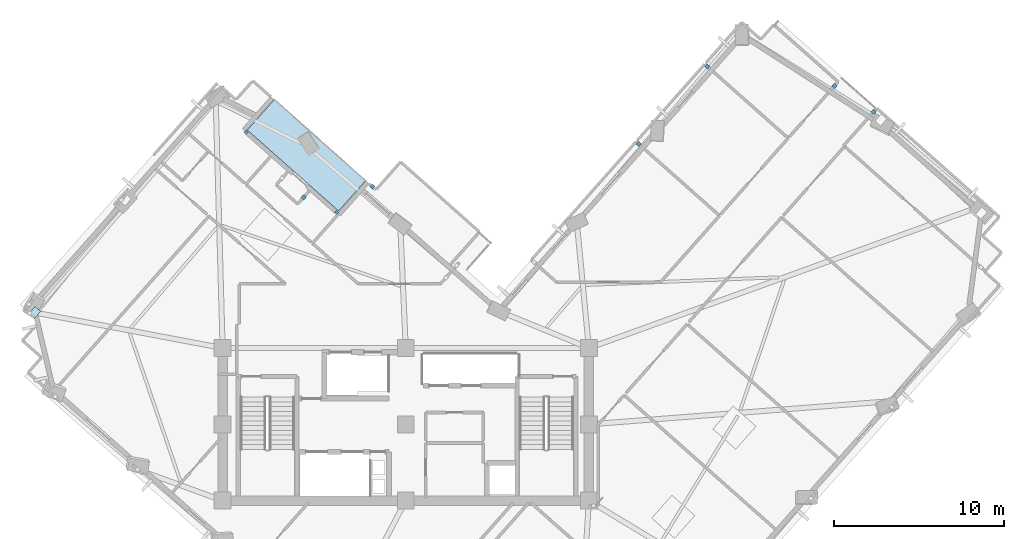
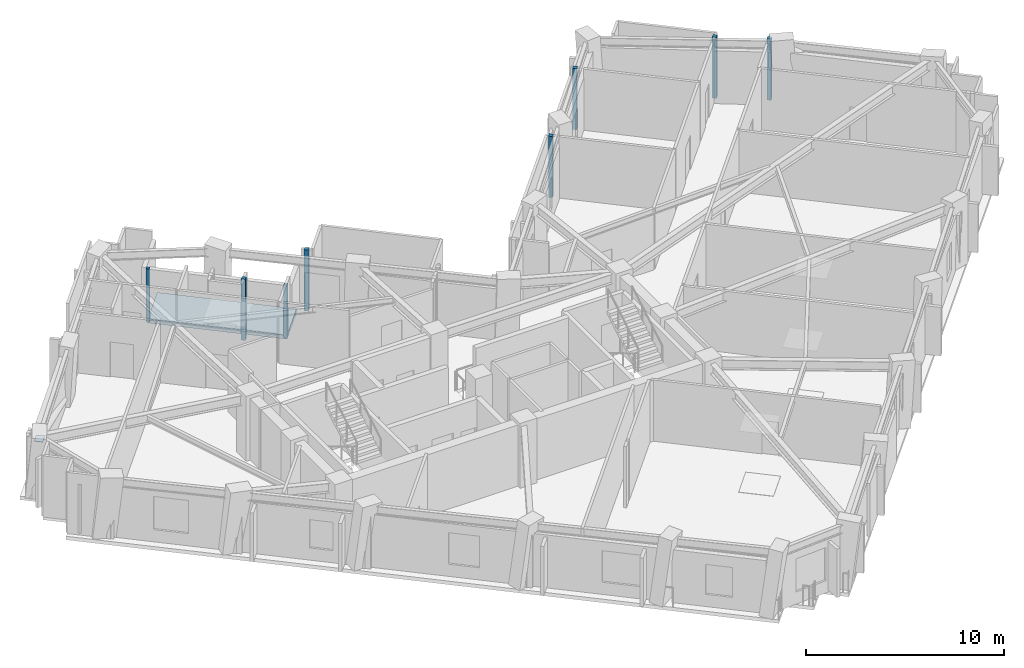
# One storey, part 3 of 13: 9 plates, 1 slab.
"""IFC4 building model written with IfcOpenShell, lengths in metres."""

from ifc_helpers import new_model, si_unit, direction, frame, origin, origin_2d, place, context, subcontext, project, spatial, polyline, rectangle, outline, extrude, material, layer, layer_set, type_object, element, save


model = new_model("IFC4")

# Units and contexts
model_context = context("Model", 3, precision=1e-05, world=origin(), true_north=direction((0.0, 1.0)))
body_context = subcontext(model_context, "Body", "Model", "MODEL_VIEW")
ifc_project = project(units=[si_unit("LENGTHUNIT", "METRE"), si_unit("AREAUNIT", "SQUARE_METRE"), si_unit("VOLUMEUNIT", "CUBIC_METRE"), si_unit("PLANEANGLEUNIT", "RADIAN"), si_unit("MASSUNIT", "GRAM", prefix="KILO")], contexts=[model_context])

# Site, building, storey
site_placement = place(None, origin())
site = spatial("IfcSite", under=ifc_project, at=site_placement, CompositionType="ELEMENT")
building_placement = place(site_placement, origin())
building = spatial("IfcBuilding", under=site, at=building_placement, Name="Gaonmaruhae Medical Tower", CompositionType="ELEMENT")
storey_placement = place(building_placement, frame((0.0, 0.0, 231.199951171875)))
storey = spatial("IfcBuildingStorey", under=building, at=storey_placement, Name="L55", CompositionType="ELEMENT", Elevation=231.199951171875)

# Plates
ifc_material_1 = material(Name="Steel HSA650 (650 MPa)", Category="steel")
ifc_layer_1 = layer(ifc_material_1, 0.028076171875)
ifc_layer_set_1 = layer_set([ifc_layer_1], Name="Steel HSA650 (650 MPa)")
plate_type_1 = type_object("IfcPlateType", Name="GP-02 Tube Brace End Cap Gusset Plate", PredefinedType="USERDEFINED", material=ifc_layer_set_1)
plate_placement = place(storey_placement, frame((2.920654296875, 18.893310546875, 3.51611328125), z_axis=(0.0, 0.0, 1.0), x_axis=(0.650774217266, 0.759271307335, 0.0)))
element("IfcPlate", 1, at=plate_placement, inside=storey, type_object=plate_type_1, Name="L55 Gusset Cap Plate PLT-L55-PBR-N02B", ObjectType="GUSSET_PLATE", PredefinedType="USERDEFINED", context=body_context, shape_type="SweptSolid", body=[
    extrude(rectangle(XDim=0.56005859375, YDim=0.43994140625, at=origin_2d()), origin(), (0.0, 0.0, 1.0), 0.028076171875),
])
ifc_material_2 = material(Name="Anodised aluminium 6063-T6", Category="aluminium")
ifc_layer_2 = layer(ifc_material_2, 0.011962890625)
ifc_layer_set_2 = layer_set([ifc_layer_2], Name="Anodised aluminium 6063-T6")
plate_type_2 = type_object("IfcPlateType", Name="PP-01 Interior Partition Corner Stiffener Plate", PredefinedType="SHEET", material=ifc_layer_set_2)
for number, where, z_axis, x_axis, name in (
    (2, (15.392822265625, 29.525390625, 0.0), (0.0, 0.0, 1.0), (0.748377190605, -0.66327338299, 0.0), "L55 Partition End Jamb Post Plate PLT-L55-ENDP-TERB-0"),
    (3, (20.72119140625, 24.802734375, 0.0), (0.0, 0.0, 1.0), (0.748377190605, -0.66327338299, 0.0), "L55 Partition End Jamb Post Plate PLT-L55-ENDP-TERB-1"),
):
    element("IfcPlate", number, at=place(storey_placement, frame(where, z_axis=z_axis, x_axis=x_axis)), inside=storey, type_object=plate_type_2, Name=name, PredefinedType="SHEET", context=body_context, shape_type="SweptSolid", body=[
        extrude(rectangle(XDim=0.179931640625, YDim=0.179931640625, at=origin_2d()), origin(), (0.0, 0.0, 1.0), 3.264892578125),
    ])
for number, where, z_axis, x_axis, name in (
    (4, (38.53662109375, 28.8359375, 0.0), (0.0, 0.0, 1.0), (0.748423493998, -0.663221134789, 0.0), "L55 Partition Corner Stiffener Plate PLT-L55-JGP-PW049"),
    (5, (42.5859375, 33.404541015625, 0.0), (0.0, 0.0, 1.0), (0.748296150889, -0.663364809562, 0.0), "L55 Partition Corner Stiffener Plate PLT-L55-JGP-PW057"),
    (6, (50.087890625, 32.261474609375, 0.0), (0.0, 0.0, 1.0), (-0.662816101655, -0.748782221602, 0.0), "L55 Partition Corner Stiffener Plate PLT-L55-JGP-PW061"),
    (7, (22.827392578125, 26.33056640625, 0.0), (0.0, 0.0, 1.0), (0.74909448318, -0.662463172765, 0.0), "L55 Partition Corner Stiffener Plate PLT-L55-JGP-PW071"),
    (8, (18.779541015625, 25.69189453125, 0.0), (0.0, 0.0, 1.0), (0.662659262537, 0.748921025058, 0.0), "L55 Partition Corner Stiffener Plate PLT-L55-JGP-PW075"),
    (9, (52.39794921875, 30.737548828125, 0.0), (0.0, 0.0, 1.0), (0.663286444535, 0.748365614186, 0.0), "L55 Partition Corner Stiffener Plate PLT-L55-JGP-PW093"),
):
    element("IfcPlate", number, at=place(storey_placement, frame(where, z_axis=z_axis, x_axis=x_axis)), inside=storey, type_object=plate_type_2, Name=name, PredefinedType="SHEET", context=body_context, shape_type="SweptSolid", body=[
        extrude(rectangle(XDim=0.219970703125, YDim=0.219970703125, at=origin_2d()), origin(), (0.0, 0.0, 1.0), 3.780029296875),
    ])

# Slab
ifc_material_3 = material(Name="Concrete C40/50", Category="concrete")
ifc_layer_3 = layer(ifc_material_3, 0.239990234375)
ifc_layer_set_3 = layer_set([ifc_layer_3], Name="Concrete C40/50")
slab_type = type_object("IfcSlabType", Name="TS-240 Sky Garden & Recovery Terrace Slab", PredefinedType="FLOOR", material=ifc_layer_set_3)
slab_placement = place(storey_placement, frame((0.0, 0.0, -0.239990234375)))
element("IfcSlab", 10, at=slab_placement, inside=storey, type_object=slab_type, Name="L55 Outdoor Recovery Terrace Slab", PredefinedType="FLOOR", context=body_context, shape_type="SweptSolid", body=[
    extrude(outline(polyline([(20.843994140625, 24.881103515625), (22.43603515625, 26.67724609375), (17.047607421875, 31.45263671875), (15.455810546875, 29.65673828125), (20.843994140625, 24.881103515625)])), origin(), (0.0, 0.0, 1.0), 0.239990234375),
])

save(model, "model.ifc")
